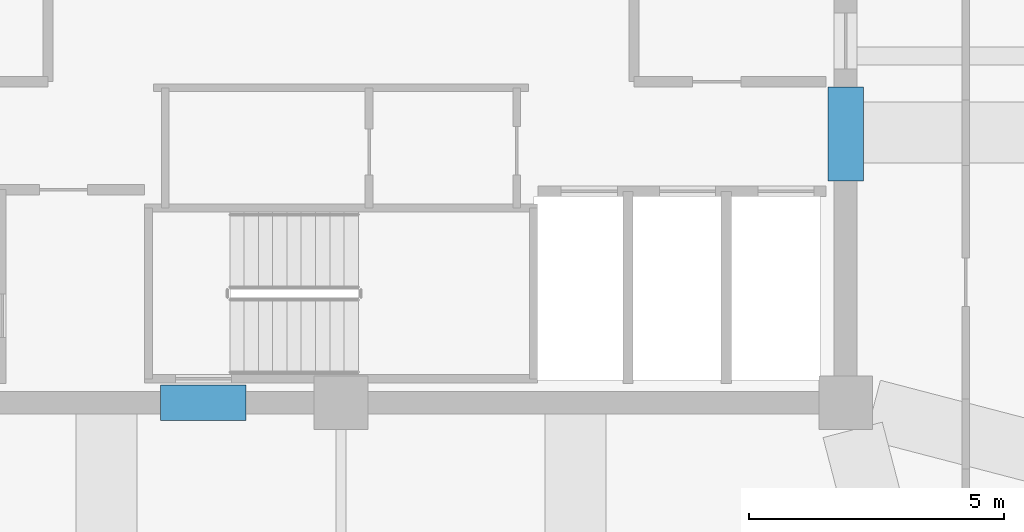
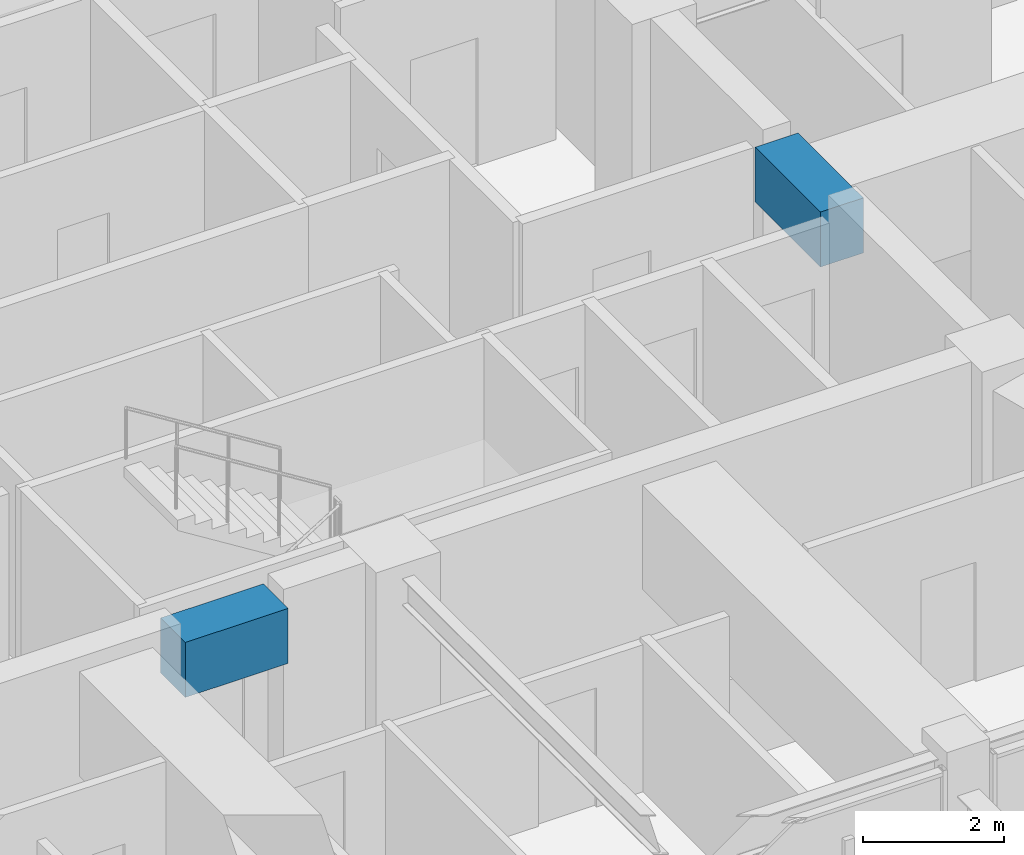
# One storey, part 7 of 31: 2 beams.
"""IFC4 building model written with IfcOpenShell, lengths in metres."""

import ifcopenshell
import ifcopenshell.guid

model = None  # the IFC model being written
_history = None  # IfcOwnerHistory: only IFC2X3 demands one
_inside = {}  # id of a spatial element -> (the spatial element, [elements in it])
_under = {}  # id of a project, library or spatial element -> (it, [spatial elements below it])
_declared = {}  # id of a project -> (the project, [libraries it declares])
_typed = {}  # id of a type object -> (the type object, [elements of that type])
_made_of = {}  # id of a material, layer set ... -> (it, [elements and type objects made of it])


def new_model(schema):
    """Start an empty IFC model of exactly this schema.

    Asked for "IFC4X3", IfcOpenShell would pick the latest addendum, in which some entities
    have other attributes; the version numbers below select the first issue.
    IFC2X3 requires an IfcOwnerHistory on every rooted entity: one is made here for all.
    """
    global model, _history
    if schema == "IFC4X3":
        model = ifcopenshell.file(schema_version=(4, 3, 0, 0))
    else:
        model = ifcopenshell.file(schema=schema)
    _inside.clear()
    _under.clear()
    _declared.clear()
    _typed.clear()
    _made_of.clear()
    _history = None
    if model.schema == "IFC2X3":
        org = make("IfcOrganization", Name="unknown")
        user = make(
            "IfcPersonAndOrganization",
            ThePerson=make("IfcPerson", FamilyName="unknown"),
            TheOrganization=org,
        )
        app = make(
            "IfcApplication",
            ApplicationDeveloper=org,
            Version="unknown",
            ApplicationFullName="unknown",
            ApplicationIdentifier="unknown",
        )
        _history = make(
            "IfcOwnerHistory",
            OwningUser=user,
            OwningApplication=app,
            ChangeAction="ADDED",
            CreationDate=0,
        )
    return model


def make(cls, **values):
    """One entity of the class cls with the attributes given. An attribute that is None is left unset."""
    return model.create_entity(
        cls, **{name: value for name, value in values.items() if value is not None}
    )


def rooted(cls, **values):
    """An entity with a GlobalId (a new one), such as an element, a storey or a relation."""
    return make(cls, GlobalId=ifcopenshell.guid.new(), OwnerHistory=_history, **values)


def si_unit(unit_type, name, prefix=None):
    """IfcSIUnit, for example si_unit("LENGTHUNIT", "METRE", prefix="MILLI")."""
    return make("IfcSIUnit", UnitType=unit_type, Prefix=prefix, Name=name)


def assignment(units):
    """IfcUnitAssignment: the units of a project."""
    return None if units is None else make("IfcUnitAssignment", Units=units)


def point(xyz):
    """IfcCartesianPoint."""
    return None if xyz is None else make("IfcCartesianPoint", Coordinates=xyz)


def direction(xyz):
    """IfcDirection."""
    return None if xyz is None else make("IfcDirection", DirectionRatios=xyz)


def frame(location, z_axis=None, x_axis=None):
    """IfcAxis2Placement3D, a coordinate frame: its origin and axes. An axis left out is left unset."""
    return make(
        "IfcAxis2Placement3D",
        Location=point(location),
        Axis=direction(z_axis),
        RefDirection=direction(x_axis),
    )


def frame_2d(location, x_axis=None):
    """IfcAxis2Placement2D, a coordinate frame in the plane: its origin and x axis."""
    return make(
        "IfcAxis2Placement2D", Location=point(location), RefDirection=direction(x_axis)
    )


def origin():
    """The frame at (0, 0, 0) with its axes left unset."""
    return frame((0.0, 0.0, 0.0))


def origin_2d():
    """The frame at (0, 0) in the plane with its x axis left unset."""
    return frame_2d((0.0, 0.0))


def place(relative_to, where):
    """IfcLocalPlacement: puts the frame where relative to a parent placement (None: the world)."""
    return make(
        "IfcLocalPlacement", PlacementRelTo=relative_to, RelativePlacement=where
    )


def context(
    kind, dimensions, precision=None, world=None, true_north=None, identifier=None
):
    """IfcGeometricRepresentationContext, for example the 3D "Model" context."""
    return make(
        "IfcGeometricRepresentationContext",
        ContextIdentifier=identifier,
        ContextType=kind,
        CoordinateSpaceDimension=dimensions,
        Precision=precision,
        WorldCoordinateSystem=world,
        TrueNorth=true_north,
    )


def subcontext(parent, identifier, kind, view, scale=None):
    """IfcGeometricRepresentationSubContext, for example "Body" below "Model"."""
    return make(
        "IfcGeometricRepresentationSubContext",
        ContextIdentifier=identifier,
        ContextType=kind,
        ParentContext=parent,
        TargetScale=scale,
        TargetView=view,
    )


def project(units=None, contexts=None):
    """IfcProject with its units and contexts."""
    return rooted(
        "IfcProject",
        Name="project",
        RepresentationContexts=contexts,
        UnitsInContext=assignment(units),
    )


def spatial(cls, under=None, at=None, **own):
    """A site, building, storey or space (cls), placed at a placement, below another one or the project."""
    s = rooted(cls, ObjectPlacement=at, **own)
    if under is not None:
        _under.setdefault(under.id(), (under, []))[1].append(s)
    return s


def profile(cls, at=None, kind="AREA", **sizes):
    """A parametric profile (cls). Its sizes go by their IFC names, for example OverallWidth=200.0."""
    return make(cls, ProfileType=kind, Position=at, **sizes)


def rectangle(**sizes):
    """IfcRectangleProfileDef."""
    return profile("IfcRectangleProfileDef", **sizes)


def extrude(swept, where, along, depth):
    """IfcExtrudedAreaSolid: the profile swept, set in the frame where, extruded along a direction by depth."""
    return make(
        "IfcExtrudedAreaSolid",
        SweptArea=swept,
        Position=where,
        ExtrudedDirection=direction(along),
        Depth=depth,
    )


def shape(context_of_items, identifier, shape_type, items):
    """IfcShapeRepresentation: the items that make up one representation, for example the "Body"."""
    return make(
        "IfcShapeRepresentation",
        ContextOfItems=context_of_items,
        RepresentationIdentifier=identifier,
        RepresentationType=shape_type,
        Items=items,
    )


def material(Name=None, Category=None):
    """IfcMaterial."""
    return make("IfcMaterial", Name=Name, Category=Category)


def material_profile(
    of_material, cross_section, Name=None, Category=None, Priority=None
):
    """IfcMaterialProfile: a cross section and its material."""
    return make(
        "IfcMaterialProfile",
        Name=Name,
        Material=of_material,
        Profile=cross_section,
        Priority=Priority,
        Category=Category,
    )


def profile_set(profiles, Name=None, composite=None):
    """IfcMaterialProfileSet."""
    return make(
        "IfcMaterialProfileSet",
        Name=Name,
        MaterialProfiles=profiles,
        CompositeProfile=composite,
    )


def made_of(thing, what):
    """Note that an element or type object is made of a material, layer set ...; save() writes the relation."""
    if what is not None:
        _made_of.setdefault(what.id(), (what, []))[1].append(thing)
    return thing


def type_object(cls, material=None, **own):
    """A type object (cls), such as IfcWallType, which elements share."""
    return made_of(rooted(cls, **own), material)


def element(
    cls,
    number,
    at=None,
    inside=None,
    cuts=None,
    type_object=None,
    material=None,
    context=None,
    identifier="Body",
    shape_type=None,
    held_by="IfcProductDefinitionShape",
    body=None,
    shapes=None,
    **own,
):
    """One element of the class cls, such as IfcWall. Its Tag is "e" and its number.

    at: its placement. inside: the storey or other place that contains it. cuts: it is an
    opening in that element (IfcRelVoidsElement). A single representation is given by context,
    identifier, shape_type and body (its items); several are given by shapes. held_by: the class
    of the entity that holds the representations. save() writes the other relations.
    """
    e = rooted(cls, Tag="e%d" % number, ObjectPlacement=at, **own)
    if body is not None:
        shapes = [shape(context, identifier, shape_type, body)]
    if shapes is not None:
        e.Representation = make(held_by, Representations=shapes)
    if inside is not None:
        _inside.setdefault(inside.id(), (inside, []))[1].append(e)
    if cuts is not None:
        rooted(
            "IfcRelVoidsElement", RelatingBuildingElement=cuts, RelatedOpeningElement=e
        )
    if type_object is not None:
        _typed.setdefault(type_object.id(), (type_object, []))[1].append(e)
    return made_of(e, material)


def aggregate(whole, parts):
    """IfcRelAggregates: a whole, such as a stair, and the parts it consists of."""
    return rooted("IfcRelAggregates", RelatingObject=whole, RelatedObjects=parts)


def save(model, path):
    """Write the relations noted so far, then the file.

    IfcRelAggregates (storeys below a building ...), IfcRelContainedInSpatialStructure (elements
    in a storey), IfcRelDefinesByType, IfcRelAssociatesMaterial and IfcRelDeclares: one each for
    every whole, place, type object, material and project.
    """
    for whole, parts in _under.values():
        aggregate(whole, parts)
    for where, things in _inside.values():
        rooted(
            "IfcRelContainedInSpatialStructure",
            RelatedElements=things,
            RelatingStructure=where,
        )
    for kind, things in _typed.values():
        rooted("IfcRelDefinesByType", RelatedObjects=things, RelatingType=kind)
    for what, things in _made_of.values():
        rooted("IfcRelAssociatesMaterial", RelatedObjects=things, RelatingMaterial=what)
    for by, libraries in _declared.values():
        rooted("IfcRelDeclares", RelatingContext=by, RelatedDefinitions=libraries)
    model.write(path)


model = new_model("IFC4")

# Units and contexts
model_context = context("Model", 3, precision=1e-05, world=origin(), true_north=direction((0.0, 1.0)))
body_context = subcontext(model_context, "Body", "Model", "MODEL_VIEW")
ifc_project = project(units=[si_unit("LENGTHUNIT", "METRE"), si_unit("AREAUNIT", "SQUARE_METRE"), si_unit("VOLUMEUNIT", "CUBIC_METRE"), si_unit("PLANEANGLEUNIT", "RADIAN"), si_unit("MASSUNIT", "GRAM", prefix="KILO")], contexts=[model_context])

# Site, building, storey
site_placement = place(None, origin())
site = spatial("IfcSite", under=ifc_project, at=site_placement, CompositionType="ELEMENT")
building_placement = place(site_placement, origin())
building = spatial("IfcBuilding", under=site, at=building_placement, Name="Kolvaren Belvedere", CompositionType="ELEMENT")
storey_placement = place(building_placement, frame((0.0, 0.0, 237.39990234375)))
storey = spatial("IfcBuildingStorey", under=building, at=storey_placement, Name="L69", CompositionType="ELEMENT", Elevation=237.39990234375)

# Beams
ifc_material = material(Name="Concrete C60/75", Category="concrete")
ifc_material_profile = material_profile(ifc_material, rectangle(XDim=0.699951171875, YDim=0.949951171875, at=origin_2d()), Name="RC 700X950")
ifc_profile_set = profile_set([ifc_material_profile], Name="Concrete C60/75")
beam_type = type_object("IfcBeamType", Name="BM-LINT-950", PredefinedType="LINTEL", material=ifc_profile_set)
beam_1_placement = place(storey_placement, frame((-3.5400390625, -9.89990234375, 2.775146484375), z_axis=(1.0, 0.0, 0.0), x_axis=(0.0, 1.0, 0.0)))
element("IfcBeam", 1, at=beam_1_placement, inside=storey, type_object=beam_type, Name="L69 South Core Coupling Lintel", PredefinedType="LINTEL", context=body_context, shape_type="SweptSolid", body=[
    extrude(rectangle(XDim=0.699951171875, YDim=0.949951171875, at=origin_2d()), origin(), (0.0, 0.0, 1.0), 1.679931640625),
])
beam_2_placement = place(storey_placement, frame((9.89990234375, -5.550048828125, 2.775146484375), z_axis=(0.0, 1.0, 0.0), x_axis=(-1.0, 0.0, 0.0)))
element("IfcBeam", 2, at=beam_2_placement, inside=storey, type_object=beam_type, Name="L69 East Core Coupling Lintel", PredefinedType="LINTEL", context=body_context, shape_type="SweptSolid", body=[
    extrude(rectangle(XDim=0.699951171875, YDim=0.949951171875, at=origin_2d()), origin(), (0.0, 0.0, 1.0), 1.85009765625),
])

save(model, "model.ifc")
